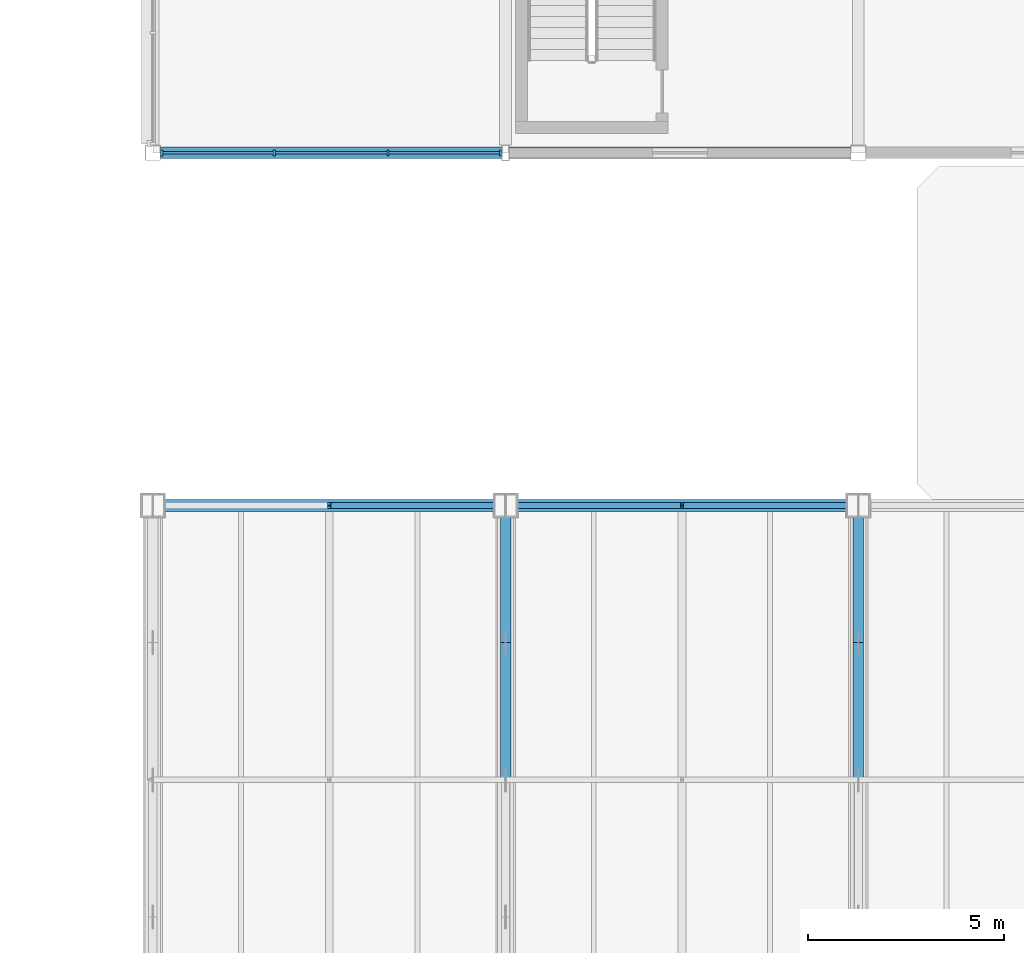
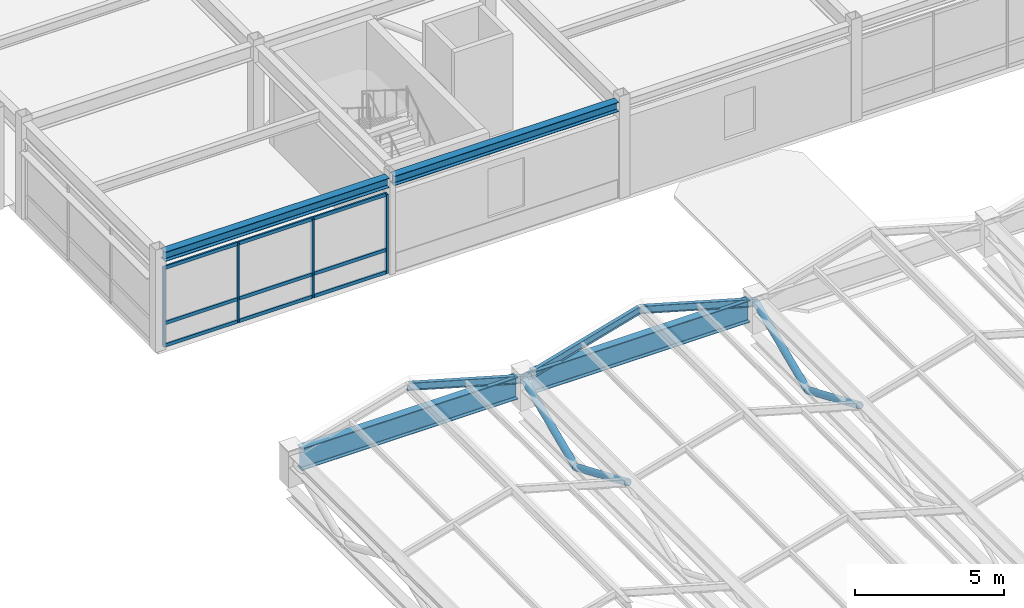
# One storey, part 36 of 108: 20 members, 4 beams, 1 element without a shape of its own.
"""IFC4 building model written with IfcOpenShell, lengths in metres."""

from ifc_helpers import new_model, si_unit, direction, frame, origin, origin_2d, place, context, subcontext, project, spatial, rectangle, hollow_circle, i_section, extrude, material, material_profile, profile_set, type_object, element, aggregate, save


model = new_model("IFC4")

# Units and contexts
model_context = context("Model", 3, precision=1e-05, world=origin(), true_north=direction((0.0, 1.0)))
body_context = subcontext(model_context, "Body", "Model", "MODEL_VIEW")
ifc_project = project(units=[si_unit("LENGTHUNIT", "METRE"), si_unit("AREAUNIT", "SQUARE_METRE"), si_unit("VOLUMEUNIT", "CUBIC_METRE"), si_unit("PLANEANGLEUNIT", "RADIAN"), si_unit("MASSUNIT", "GRAM", prefix="KILO")], contexts=[model_context])

# Site, building, storey
site_placement = place(None, origin())
site = spatial("IfcSite", under=ifc_project, at=site_placement, CompositionType="ELEMENT")
building_placement = place(site_placement, origin())
building = spatial("IfcBuilding", under=site, at=building_placement, Name="Suzunagisa Mobility Hub", CompositionType="ELEMENT")
storey_placement = place(building_placement, frame((0.0, 0.0, 9.300048828125)))
storey = spatial("IfcBuildingStorey", under=building, at=storey_placement, Name="L02", CompositionType="ELEMENT", Elevation=9.300048828125)

# Curtain wall, members
ifc_material_1 = material(Name="Thermally Broken Anodized Aluminum and Low-E Glazing", Category="aluminium")
curtain_wall_type = type_object("IfcCurtainWallType", Name="Unitised Curtain Wall CW-13 8750x3200", PredefinedType="USERDEFINED", material=ifc_material_1)
curtain_wall_placement = place(storey_placement, origin())
curtain_wall = element("IfcCurtainWall", 1, at=curtain_wall_placement, inside=storey, type_object=curtain_wall_type, Name="L02 Unitised Curtain Wall CW-109", ObjectType="UNITISED CURTAIN WALL", PredefinedType="USERDEFINED")
ifc_material_2 = material(Name="Anodized Aluminum 6063-T6", Category="aluminium")
ifc_material_profile_1 = material_profile(ifc_material_2, rectangle(XDim=0.06494140625, YDim=0.139892578125, at=origin_2d()), Name="TRAN-65x140")
ifc_profile_set_1 = profile_set([ifc_material_profile_1], Name="Anodized Aluminum 6063-T6")
member_type_1 = type_object("IfcMemberType", Name="Curtain Wall Framing CM-01 TRAN-65x140", PredefinedType="USERDEFINED", material=ifc_profile_set_1)
member_1_placement = place(storey_placement, frame((45.258056640625, 80.0, 0.032470703125), z_axis=(1.0, 0.0, 0.0), x_axis=(0.0, 1.0, 0.0)))
member_1 = element("IfcMember", 2, at=member_1_placement, type_object=member_type_1, Name="Curtain Wall Transom 109-T1.1", ObjectType="TRANSOM", PredefinedType="USERDEFINED", context=body_context, shape_type="SweptSolid", body=[
    extrude(rectangle(XDim=0.06494140625, YDim=0.139892578125, at=origin_2d()), origin(), (0.0, 0.0, 1.0), 2.81396484375),
])
member_2_placement = place(storey_placement, frame((45.258056640625, 80.0, 0.949951171875), z_axis=(1.0, 0.0, 0.0), x_axis=(0.0, 1.0, 0.0)))
member_2 = element("IfcMember", 3, at=member_2_placement, type_object=member_type_1, Name="Curtain Wall Transom 109-T1.2", ObjectType="TRANSOM", PredefinedType="USERDEFINED", context=body_context, shape_type="SweptSolid", body=[
    extrude(rectangle(XDim=0.06494140625, YDim=0.139892578125, at=origin_2d()), origin(), (0.0, 0.0, 1.0), 2.81396484375),
])
member_3_placement = place(storey_placement, frame((45.258056640625, 80.0, 3.217529296875), z_axis=(1.0, 0.0, 0.0), x_axis=(0.0, 1.0, 0.0)))
member_3 = element("IfcMember", 4, at=member_3_placement, type_object=member_type_1, Name="Curtain Wall Transom 109-T1.3", ObjectType="TRANSOM", PredefinedType="USERDEFINED", context=body_context, shape_type="SweptSolid", body=[
    extrude(rectangle(XDim=0.06494140625, YDim=0.139892578125, at=origin_2d()), origin(), (0.0, 0.0, 1.0), 2.81396484375),
])
member_4_placement = place(storey_placement, frame((48.1279296875, 80.0, 0.032470703125), z_axis=(1.0, 0.0, 0.0), x_axis=(0.0, 1.0, 0.0)))
member_4 = element("IfcMember", 5, at=member_4_placement, type_object=member_type_1, Name="Curtain Wall Transom 109-T2.1", ObjectType="TRANSOM", PredefinedType="USERDEFINED", context=body_context, shape_type="SweptSolid", body=[
    extrude(rectangle(XDim=0.06494140625, YDim=0.139892578125, at=origin_2d()), origin(), (0.0, 0.0, 1.0), 2.843994140625),
])
member_5_placement = place(storey_placement, frame((48.1279296875, 80.0, 0.949951171875), z_axis=(1.0, 0.0, 0.0), x_axis=(0.0, 1.0, 0.0)))
member_5 = element("IfcMember", 6, at=member_5_placement, type_object=member_type_1, Name="Curtain Wall Transom 109-T2.2", ObjectType="TRANSOM", PredefinedType="USERDEFINED", context=body_context, shape_type="SweptSolid", body=[
    extrude(rectangle(XDim=0.06494140625, YDim=0.139892578125, at=origin_2d()), origin(), (0.0, 0.0, 1.0), 2.843994140625),
])
member_6_placement = place(storey_placement, frame((48.1279296875, 80.0, 3.217529296875), z_axis=(1.0, 0.0, 0.0), x_axis=(0.0, 1.0, 0.0)))
member_6 = element("IfcMember", 7, at=member_6_placement, type_object=member_type_1, Name="Curtain Wall Transom 109-T2.3", ObjectType="TRANSOM", PredefinedType="USERDEFINED", context=body_context, shape_type="SweptSolid", body=[
    extrude(rectangle(XDim=0.06494140625, YDim=0.139892578125, at=origin_2d()), origin(), (0.0, 0.0, 1.0), 2.843994140625),
])
member_7_placement = place(storey_placement, frame((51.028076171875, 80.0, 0.032470703125), z_axis=(1.0, 0.0, 0.0), x_axis=(0.0, 1.0, 0.0)))
member_7 = element("IfcMember", 8, at=member_7_placement, type_object=member_type_1, Name="Curtain Wall Transom 109-T3.1", ObjectType="TRANSOM", PredefinedType="USERDEFINED", context=body_context, shape_type="SweptSolid", body=[
    extrude(rectangle(XDim=0.06494140625, YDim=0.139892578125, at=origin_2d()), origin(), (0.0, 0.0, 1.0), 2.81396484375),
])
member_8_placement = place(storey_placement, frame((51.028076171875, 80.0, 0.949951171875), z_axis=(1.0, 0.0, 0.0), x_axis=(0.0, 1.0, 0.0)))
member_8 = element("IfcMember", 9, at=member_8_placement, type_object=member_type_1, Name="Curtain Wall Transom 109-T3.2", ObjectType="TRANSOM", PredefinedType="USERDEFINED", context=body_context, shape_type="SweptSolid", body=[
    extrude(rectangle(XDim=0.06494140625, YDim=0.139892578125, at=origin_2d()), origin(), (0.0, 0.0, 1.0), 2.81396484375),
])
member_9_placement = place(storey_placement, frame((51.028076171875, 80.0, 3.217529296875), z_axis=(1.0, 0.0, 0.0), x_axis=(0.0, 1.0, 0.0)))
member_9 = element("IfcMember", 10, at=member_9_placement, type_object=member_type_1, Name="Curtain Wall Transom 109-T3.3", ObjectType="TRANSOM", PredefinedType="USERDEFINED", context=body_context, shape_type="SweptSolid", body=[
    extrude(rectangle(XDim=0.06494140625, YDim=0.139892578125, at=origin_2d()), origin(), (0.0, 0.0, 1.0), 2.81396484375),
])
ifc_material_profile_2 = material_profile(ifc_material_2, rectangle(XDim=0.06005859375, YDim=0.14990234375, at=origin_2d()), Name="MULL-60x150")
ifc_profile_set_2 = profile_set([ifc_material_profile_2], Name="Anodized Aluminum 6063-T6")
member_type_2 = type_object("IfcMemberType", Name="Curtain Wall Framing CM-03 MULL-60x150", PredefinedType="MULLION", material=ifc_profile_set_2)
member_10_placement = place(storey_placement, frame((45.22998046875, 80.0, 0.0), z_axis=(0.0, 0.0, 1.0), x_axis=(1.0, 0.0, 0.0)))
member_10 = element("IfcMember", 11, at=member_10_placement, type_object=member_type_2, Name="Curtain Wall Mullion 109-M1", PredefinedType="MULLION", context=body_context, shape_type="SweptSolid", body=[
    extrude(rectangle(XDim=0.06005859375, YDim=0.14990234375, at=origin_2d()), origin(), (0.0, 0.0, 1.0), 3.25),
])
member_11_placement = place(storey_placement, frame((48.10009765625, 80.0, 0.0), z_axis=(0.0, 0.0, 1.0), x_axis=(1.0, 0.0, 0.0)))
member_11 = element("IfcMember", 12, at=member_11_placement, type_object=member_type_2, Name="Curtain Wall Mullion 109-M2", PredefinedType="MULLION", context=body_context, shape_type="SweptSolid", body=[
    extrude(rectangle(XDim=0.06005859375, YDim=0.14990234375, at=origin_2d()), origin(), (0.0, 0.0, 1.0), 3.25),
])
member_12_placement = place(storey_placement, frame((51.0, 80.0, 0.0), z_axis=(0.0, 0.0, 1.0), x_axis=(1.0, 0.0, 0.0)))
member_12 = element("IfcMember", 13, at=member_12_placement, type_object=member_type_2, Name="Curtain Wall Mullion 109-M3", PredefinedType="MULLION", context=body_context, shape_type="SweptSolid", body=[
    extrude(rectangle(XDim=0.06005859375, YDim=0.14990234375, at=origin_2d()), origin(), (0.0, 0.0, 1.0), 3.25),
])
member_13_placement = place(storey_placement, frame((53.8701171875, 80.0, 0.0), z_axis=(0.0, 0.0, 1.0), x_axis=(1.0, 0.0, 0.0)))
member_13 = element("IfcMember", 14, at=member_13_placement, type_object=member_type_2, Name="Curtain Wall Mullion 109-M4", PredefinedType="MULLION", context=body_context, shape_type="SweptSolid", body=[
    extrude(rectangle(XDim=0.06005859375, YDim=0.14990234375, at=origin_2d()), origin(), (0.0, 0.0, 1.0), 3.25),
])
aggregate(curtain_wall, [member_10, member_11, member_12, member_13, member_1, member_2, member_3, member_4, member_5, member_6, member_7, member_8, member_9])

# Members
ifc_material_3 = material(Name="Steel SN490B", Category="steel")
ifc_material_profile_3 = material_profile(ifc_material_3, hollow_circle(Radius=0.1337890625, WallThickness=0.00927734375, at=origin_2d()), Name="CHS-267.4x9.3")
ifc_profile_set_3 = profile_set([ifc_material_profile_3], Name="Steel SN490B")
member_type_3 = type_object("IfcMemberType", Name="Roof Truss and Brace Member MB-02 CHS-267.4x9.3", PredefinedType="STRUT", material=ifc_profile_set_3)
for number, where, z_axis, x_axis, name in (
    (15, (54.0, 64.0, 1.0537109375), (0.0, 0.919145030018, -0.393919298579), (-1.0, 0.0, 0.0), "Secondary Sub-Truss Web 19"),
    (16, (54.0, 67.5, -0.4462890625), (0.0, 0.919145030018, 0.393919298579), (-1.0, 0.0, 0.0), "Secondary Sub-Truss Web 20"),
    (17, (63.0, 64.0, 1.0537109375), (0.0, 0.919145030018, -0.393919298579), (-1.0, 0.0, 0.0), "Secondary Sub-Truss Web 29"),
    (18, (63.0, 67.5, -0.4462890625), (0.0, 0.919145030018, 0.393919298579), (-1.0, 0.0, 0.0), "Secondary Sub-Truss Web 30"),
):
    element("IfcMember", number, at=place(storey_placement, frame(where, z_axis=z_axis, x_axis=x_axis)), inside=storey, type_object=member_type_3, Name=name, PredefinedType="STRUT", context=body_context, shape_type="SweptSolid", body=[
        extrude(hollow_circle(Radius=0.1337890625, WallThickness=0.00927734375, at=origin_2d()), origin(), (0.0, 0.0, 1.0), 3.807861328125),
    ])
ifc_material_4 = material(Name="Steel SN400B", Category="steel")
ifc_material_profile_4 = material_profile(ifc_material_4, i_section(OverallWidth=0.14990234375, OverallDepth=0.300048828125, WebThickness=0.006591796875, FlangeThickness=0.009033203125, FilletRadius=0.008056640625, at=origin_2d()), Name="H-300x150x6.5x9")
ifc_profile_set_4 = profile_set([ifc_material_profile_4], Name="Steel SN400B")
member_type_4 = type_object("IfcMemberType", Name="Roof Truss and Brace Member MB-08 H-300x150x6.5x9", PredefinedType="RAFTER", material=ifc_profile_set_4)
for number, where, z_axis, x_axis, name in (
    (19, (54.0, 71.0, 1.0537109375), (-0.961899182139, 0.0, 0.273404395357), (0.0, -1.0, 0.0), "Secondary Roof Sub-Rafter 103"),
    (20, (54.0, 71.0, 1.0537109375), (0.961899182139, 0.0, 0.273404395357), (0.0, 1.0, 0.0), "Secondary Roof Sub-Rafter 117"),
    (21, (63.0, 71.0, 1.0537109375), (-0.961899182139, 0.0, 0.273404395357), (0.0, -1.0, 0.0), "Secondary Roof Sub-Rafter 118"),
):
    element("IfcMember", number, at=place(storey_placement, frame(where, z_axis=z_axis, x_axis=x_axis)), inside=storey, type_object=member_type_4, Name=name, PredefinedType="RAFTER", context=body_context, shape_type="SweptSolid", body=[
        extrude(i_section(OverallWidth=0.14990234375, OverallDepth=0.300048828125, WebThickness=0.006591796875, FlangeThickness=0.009033203125, FilletRadius=0.008056640625, at=origin_2d()), origin(), (0.0, 0.0, 1.0), 4.67822265625),
    ])

# Beams
ifc_material_profile_5 = material_profile(ifc_material_3, i_section(OverallWidth=0.300048828125, OverallDepth=0.89990234375, WebThickness=0.01611328125, FlangeThickness=0.028076171875, FilletRadius=0.01806640625, at=origin_2d()), Name="H-900x300x16x28")
ifc_profile_set_5 = profile_set([ifc_material_profile_5], Name="Steel SN490B")
beam_type_1 = type_object("IfcBeamType", Name="Steel Beam BM-01 H-900x300x16x28", PredefinedType="BEAM", material=ifc_profile_set_5)
for number, where, z_axis, x_axis, name in (
    (22, (45.300048828125, 71.0, 0.863037109375), (1.0, 0.0, 0.0), (0.0, 1.0, 0.0), "L02 Concourse Eave Girder EG-2220"),
    (23, (54.300048828125, 71.0, 0.863037109375), (1.0, 0.0, 0.0), (0.0, 1.0, 0.0), "L02 Concourse Eave Girder EG-2221"),
):
    element("IfcBeam", number, at=place(storey_placement, frame(where, z_axis=z_axis, x_axis=x_axis)), inside=storey, type_object=beam_type_1, Name=name, PredefinedType="BEAM", context=body_context, shape_type="SweptSolid", body=[
        extrude(i_section(OverallWidth=0.300048828125, OverallDepth=0.89990234375, WebThickness=0.01611328125, FlangeThickness=0.028076171875, FilletRadius=0.01806640625, at=origin_2d()), origin(), (0.0, 0.0, 1.0), 8.39990234375),
    ])
ifc_material_profile_6 = material_profile(ifc_material_3, i_section(OverallWidth=0.300048828125, OverallDepth=0.389892578125, WebThickness=0.010009765625, FlangeThickness=0.01611328125, FilletRadius=0.012939453125, at=origin_2d()), Name="H-390x300x10x16")
ifc_profile_set_6 = profile_set([ifc_material_profile_6], Name="Steel SN490B")
beam_type_2 = type_object("IfcBeamType", Name="Steel Beam BM-13 H-390x300x10x16", PredefinedType="SPANDREL", material=ifc_profile_set_6)
for number, where, z_axis, x_axis, name in (
    (24, (45.196044921875, 80.0, 3.7548828125), (1.0, 0.0, 0.0), (0.0, 1.0, 0.0), "L02 Primary Girder GX-915"),
    (25, (54.095947265625, 80.0, 3.7548828125), (1.0, 0.0, 0.0), (0.0, 1.0, 0.0), "L02 Primary Girder GX-916"),
):
    element("IfcBeam", number, at=place(storey_placement, frame(where, z_axis=z_axis, x_axis=x_axis)), inside=storey, type_object=beam_type_2, Name=name, PredefinedType="SPANDREL", context=body_context, shape_type="SweptSolid", body=[
        extrude(i_section(OverallWidth=0.300048828125, OverallDepth=0.389892578125, WebThickness=0.010009765625, FlangeThickness=0.01611328125, FilletRadius=0.012939453125, at=origin_2d()), origin(), (0.0, 0.0, 1.0), 8.7080078125),
    ])

save(model, "model.ifc")
